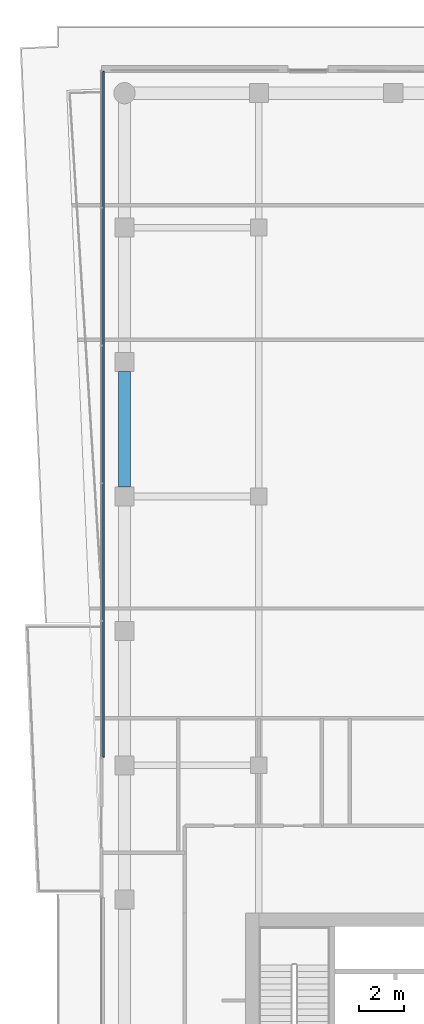
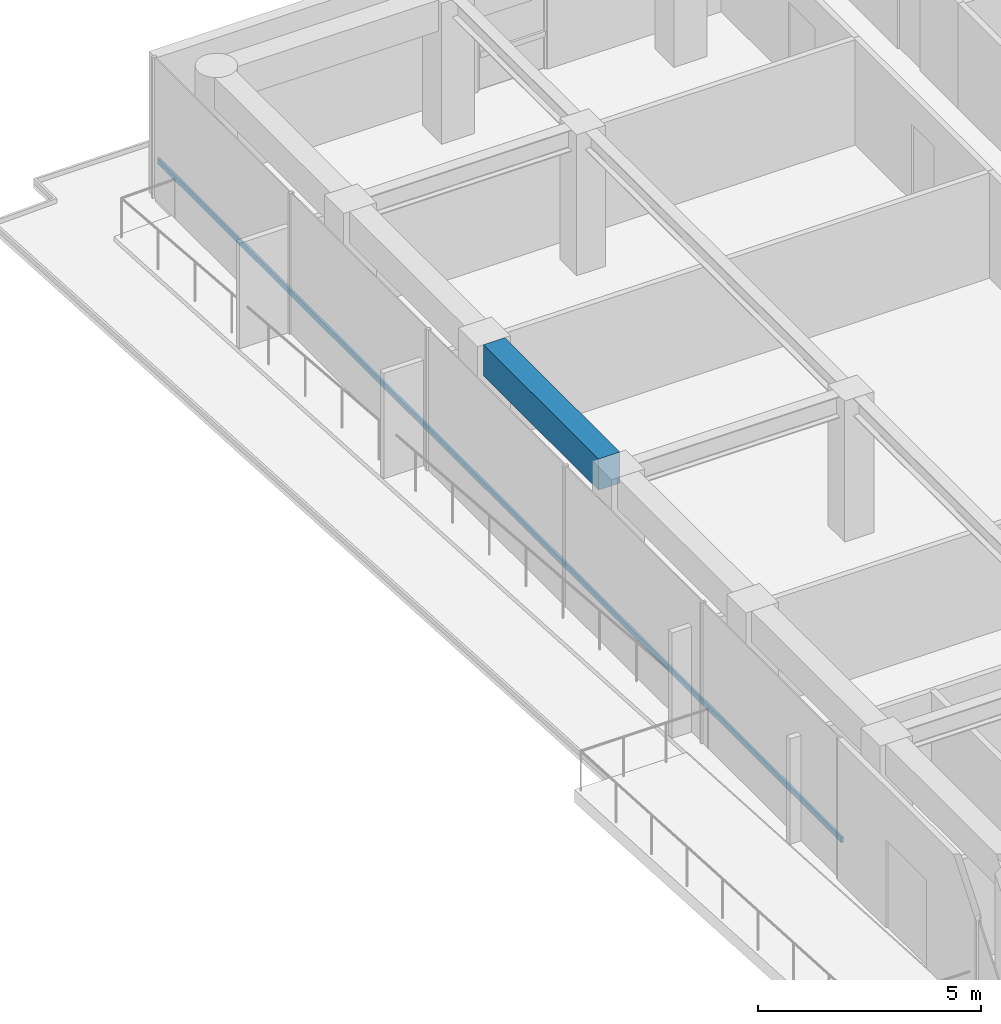
# One storey, part 12 of 21: 1 beam, 1 member, 1 element without a shape of its own.
"""IFC4 building model written with IfcOpenShell, lengths in metres."""

from ifc_helpers import new_model, si_unit, direction, frame, origin, origin_2d, place, context, subcontext, project, spatial, rectangle, extrude, material, layer, layer_set, material_profile, profile_set, type_object, element, aggregate, save


model = new_model("IFC4")

# Units and contexts
model_context = context("Model", 3, precision=1e-05, world=origin(), true_north=direction((0.0, 1.0)))
body_context = subcontext(model_context, "Body", "Model", "MODEL_VIEW")
ifc_project = project(units=[si_unit("LENGTHUNIT", "METRE"), si_unit("AREAUNIT", "SQUARE_METRE"), si_unit("VOLUMEUNIT", "CUBIC_METRE"), si_unit("PLANEANGLEUNIT", "RADIAN"), si_unit("MASSUNIT", "GRAM", prefix="KILO")], contexts=[model_context])

# Site, building, storey
site_placement = place(None, origin())
site = spatial("IfcSite", under=ifc_project, at=site_placement, CompositionType="ELEMENT")
building_placement = place(site_placement, origin())
building = spatial("IfcBuilding", under=site, at=building_placement, Name="Welwitschia Terrace Campus", CompositionType="ELEMENT")
storey_placement = place(building_placement, frame((0.0, 0.0, 180.199951171875)))
storey = spatial("IfcBuildingStorey", under=building, at=storey_placement, Name="L40", CompositionType="ELEMENT", Elevation=180.199951171875)

# Beam
ifc_material_1 = material(Name="Concrete C50/60", Category="concrete")
ifc_material_profile_1 = material_profile(ifc_material_1, rectangle(XDim=0.550048828125, YDim=0.85009765625, at=origin_2d()))
ifc_profile_set_1 = profile_set([ifc_material_profile_1], Name="Concrete C50/60")
beam_type = type_object("IfcBeamType", Name="Ring spandrel 550x850", PredefinedType="SPANDREL", material=ifc_profile_set_1)
beam_placement = place(storey_placement, frame((0.0, 49.574462890625, 3.425048828125), z_axis=(0.0, -1.0, 0.0), x_axis=(1.0, 0.0, 0.0)))
element("IfcBeam", 1, at=beam_placement, inside=storey, type_object=beam_type, Name="Spandrel SP3", PredefinedType="SPANDREL", context=body_context, shape_type="SweptSolid", body=[
    extrude(rectangle(XDim=0.550048828125, YDim=0.85009765625, at=origin_2d()), origin(), (0.0, 0.0, 1.0), 5.14892578125),
])

# Curtain wall, member
ifc_material_2 = material(Name="Bronze anodised aluminium", Category="aluminium")
ifc_layer = layer(ifc_material_2, 0.1201171875)
ifc_layer_set = layer_set([ifc_layer], Name="Bronze anodised aluminium")
curtain_wall_type = type_object("IfcCurtainWallType", Name="Curtain wall CW2 tower 6000", PredefinedType="NOTDEFINED", material=ifc_layer_set)
curtain_wall_placement = place(storey_placement, origin())
curtain_wall = element("IfcCurtainWall", 2, at=curtain_wall_placement, inside=storey, type_object=curtain_wall_type, Name="CW L40.10.0", PredefinedType="NOTDEFINED")
ifc_material_3 = material(Name="Bronze anodised aluminium", Category="aluminium")
ifc_material_profile_2 = material_profile(ifc_material_3, rectangle(XDim=0.06005859375, YDim=0.14990234375, at=origin_2d()))
ifc_profile_set_2 = profile_set([ifc_material_profile_2], Name="Bronze anodised aluminium")
member_type = type_object("IfcMemberType", Name="Transom 60x150", PredefinedType="USERDEFINED", material=ifc_profile_set_2)
member_placement = place(storey_placement, frame((-0.93994140625, 62.969970703125, 1.0), z_axis=(0.0, -1.0, 0.0), x_axis=(1.0, 0.0, 0.0)))
member = element("IfcMember", 3, at=member_placement, type_object=member_type, Name="Transom L40.10.0", ObjectType="TRANSOM", PredefinedType="USERDEFINED", context=body_context, shape_type="SweptSolid", body=[
    extrude(rectangle(XDim=0.06005859375, YDim=0.14990234375, at=origin_2d()), origin(), (0.0, 0.0, 1.0), 30.6083984375),
])
aggregate(curtain_wall, [member])

save(model, "model.ifc")
